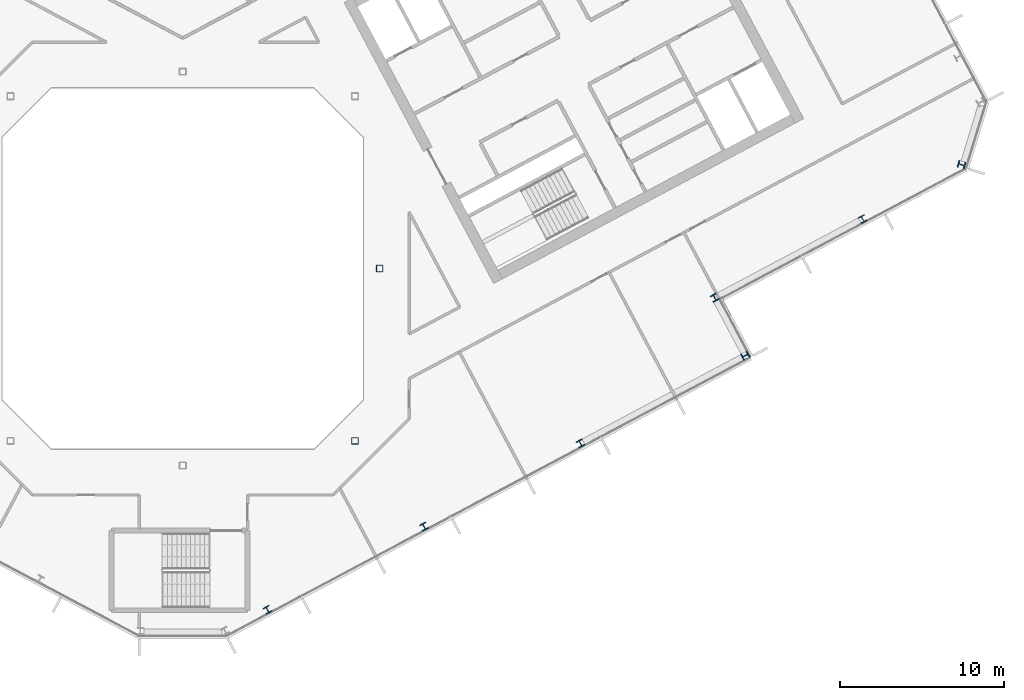
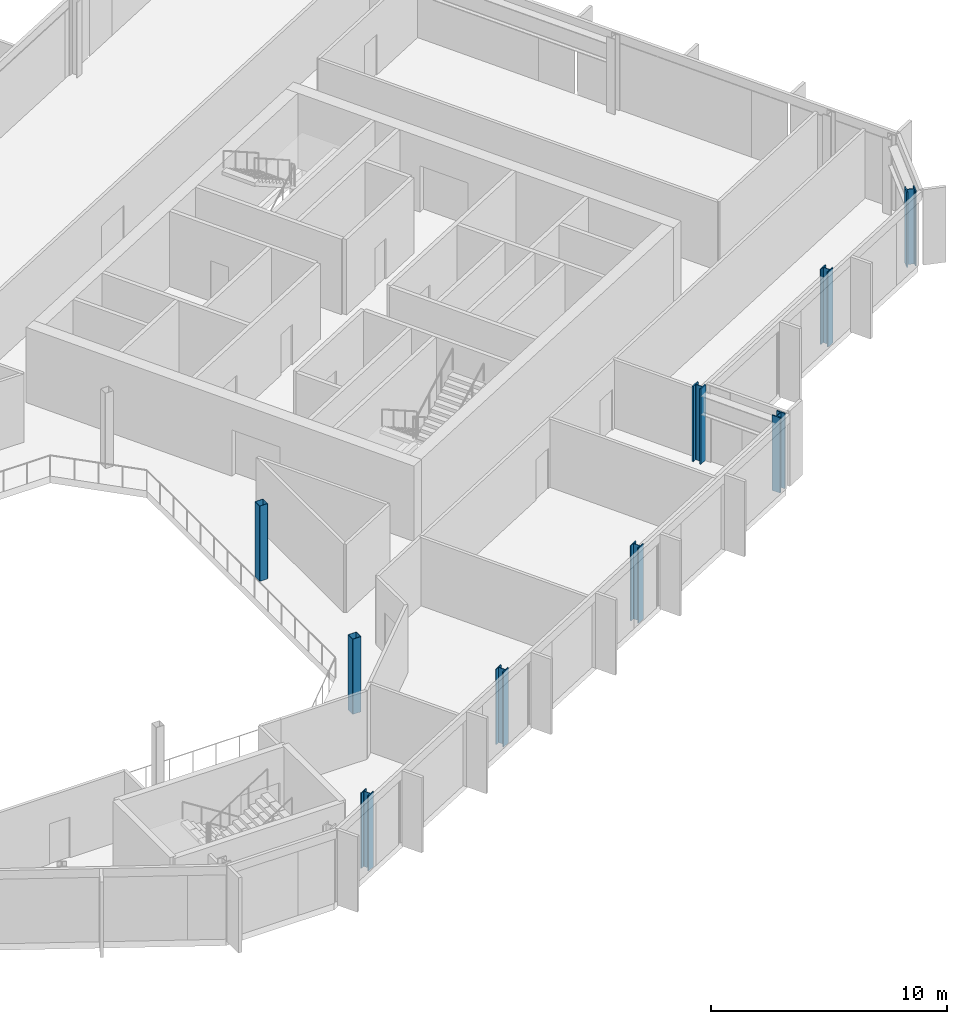
# One storey, part 5 of 27: 9 columns.
"""IFC4 building model written with IfcOpenShell, lengths in metres."""

from ifc_helpers import new_model, si_unit, direction, frame, origin, origin_2d, place, context, subcontext, project, spatial, hollow_rectangle, i_section, extrude, material, material_profile, profile_set, type_object, element, save


model = new_model("IFC4")

# Units and contexts
model_context = context("Model", 3, precision=1e-05, world=origin(), true_north=direction((0.0, 1.0)))
body_context = subcontext(model_context, "Body", "Model", "MODEL_VIEW")
ifc_project = project(units=[si_unit("LENGTHUNIT", "METRE"), si_unit("AREAUNIT", "SQUARE_METRE"), si_unit("VOLUMEUNIT", "CUBIC_METRE"), si_unit("PLANEANGLEUNIT", "RADIAN"), si_unit("MASSUNIT", "GRAM", prefix="KILO")], contexts=[model_context])

# Site, building, storey
site_placement = place(None, origin())
site = spatial("IfcSite", under=ifc_project, at=site_placement, CompositionType="ELEMENT")
building_placement = place(site_placement, origin())
building = spatial("IfcBuilding", under=site, at=building_placement, Name="Cormorant Relay Tower", CompositionType="ELEMENT")
storey_placement = place(building_placement, frame((0.0, 0.0, 201.300048828125)))
storey = spatial("IfcBuildingStorey", under=building, at=storey_placement, Name="L43", CompositionType="ELEMENT", Elevation=201.300048828125)

# Columns
ifc_material_1 = material(Name="Steel ASTM A500 Grade C (Fy 345 MPa)", Category="steel")
ifc_material_profile_1 = material_profile(ifc_material_1, hollow_rectangle(XDim=0.406494140625, YDim=0.406494140625, WallThickness=0.0146484375, InnerFilletRadius=0.00732421875, OuterFilletRadius=0.022216796875, at=origin_2d()), Name="HSS406x406x15")
ifc_profile_set_1 = profile_set([ifc_material_profile_1], Name="Steel ASTM A500 Grade C (Fy 345 MPa)")
column_type_1 = type_object("IfcColumnType", Name="Column HSS406x406x15", PredefinedType="COLUMN", material=ifc_profile_set_1)
for number, where, z_axis, x_axis, name in (
    (1, (10.5, -10.5, 0.0), (0.0, 0.0, 1.0), (1.0, 0.0, 0.0), "Column L43-010"),
    (2, (12.0, 0.0, 0.0), (0.0, 0.0, 1.0), (1.0, 0.0, 0.0), "Column L43-016"),
):
    element("IfcColumn", number, at=place(storey_placement, frame(where, z_axis=z_axis, x_axis=x_axis)), inside=storey, type_object=column_type_1, Name=name, PredefinedType="COLUMN", context=body_context, shape_type="SweptSolid", body=[
        extrude(hollow_rectangle(XDim=0.406494140625, YDim=0.406494140625, WallThickness=0.0146484375, InnerFilletRadius=0.00732421875, OuterFilletRadius=0.022216796875, at=origin_2d()), origin(), (0.0, 0.0, 1.0), 3.89990234375),
    ])
ifc_material_2 = material(Name="Steel ASTM A992 (Fy 345 MPa)", Category="steel")
ifc_material_profile_2 = material_profile(ifc_material_2, i_section(OverallWidth=0.40380859375, OverallDepth=0.406494140625, WebThickness=0.027099609375, FlangeThickness=0.043701171875, FilletRadius=0.01513671875, at=origin_2d()), Name="W360x347")
ifc_profile_set_2 = profile_set([ifc_material_profile_2], Name="Steel ASTM A992 (Fy 345 MPa)")
column_type_2 = type_object("IfcColumnType", Name="Column W360x347", PredefinedType="COLUMN", material=ifc_profile_set_2)
for number, where, z_axis, x_axis, name in (
    (3, (5.1689453125, -20.798095703125, 0.0), (0.0, 0.0, 1.0), (0.882947592859, 0.469471562786, 0.0), "Column L43-003"),
    (4, (14.705078125, -15.72705078125, 0.0), (0.0, 0.0, 1.0), (0.882947592859, 0.469471562786, 0.0), "Column L43-005"),
    (5, (24.240966796875, -10.656982421875, 0.0), (0.0, 0.0, 1.0), (0.882947592859, 0.469471562786, 0.0), "Column L43-008"),
    (6, (41.43408203125, 3.014892578125, 0.0), (0.0, 0.0, 1.0), (0.882947592859, 0.469471562786, 0.0), "Column L43-019"),
):
    element("IfcColumn", number, at=place(storey_placement, frame(where, z_axis=z_axis, x_axis=x_axis)), inside=storey, type_object=column_type_2, Name=name, PredefinedType="COLUMN", context=body_context, shape_type="SweptSolid", body=[
        extrude(i_section(OverallWidth=0.40380859375, OverallDepth=0.406494140625, WebThickness=0.027099609375, FlangeThickness=0.043701171875, FilletRadius=0.01513671875, at=origin_2d()), origin(), (0.0, 0.0, 1.0), 3.89990234375),
    ])
ifc_material_3 = material(Name="Steel ASTM A992 (Fy 345 MPa)", Category="steel")
ifc_material_profile_3 = material_profile(ifc_material_3, i_section(OverallWidth=0.41162109375, OverallDepth=0.434326171875, WebThickness=0.035888671875, FlangeThickness=0.057373046875, FilletRadius=0.01513671875, at=origin_2d()), Name="W360x463")
ifc_profile_set_3 = profile_set([ifc_material_profile_3], Name="Steel ASTM A992 (Fy 345 MPa)")
column_type_3 = type_object("IfcColumnType", Name="Column W360x463", PredefinedType="COLUMN", material=ifc_profile_set_3)
for number, where, z_axis, x_axis, name in (
    (7, (34.284912109375, -5.305908203125, 0.0), (0.0, 0.0, 1.0), (-0.469471562786, 0.882947592859, 0.0), "Column L43-012"),
    (8, (32.4169921875, -1.777099609375, 0.0), (0.0, 0.0, 1.0), (0.882947592859, 0.469471562786, 0.0), "Column L43-014"),
    (9, (47.458984375, 6.325927734375, 0.0), (0.0, 0.0, 1.0), (0.292371704723, 0.956304755963, 0.0), "Column L43-020"),
):
    element("IfcColumn", number, at=place(storey_placement, frame(where, z_axis=z_axis, x_axis=x_axis)), inside=storey, type_object=column_type_3, Name=name, PredefinedType="COLUMN", context=body_context, shape_type="SweptSolid", body=[
        extrude(i_section(OverallWidth=0.41162109375, OverallDepth=0.434326171875, WebThickness=0.035888671875, FlangeThickness=0.057373046875, FilletRadius=0.01513671875, at=origin_2d()), origin(), (0.0, 0.0, 1.0), 3.89990234375),
    ])

save(model, "model.ifc")
